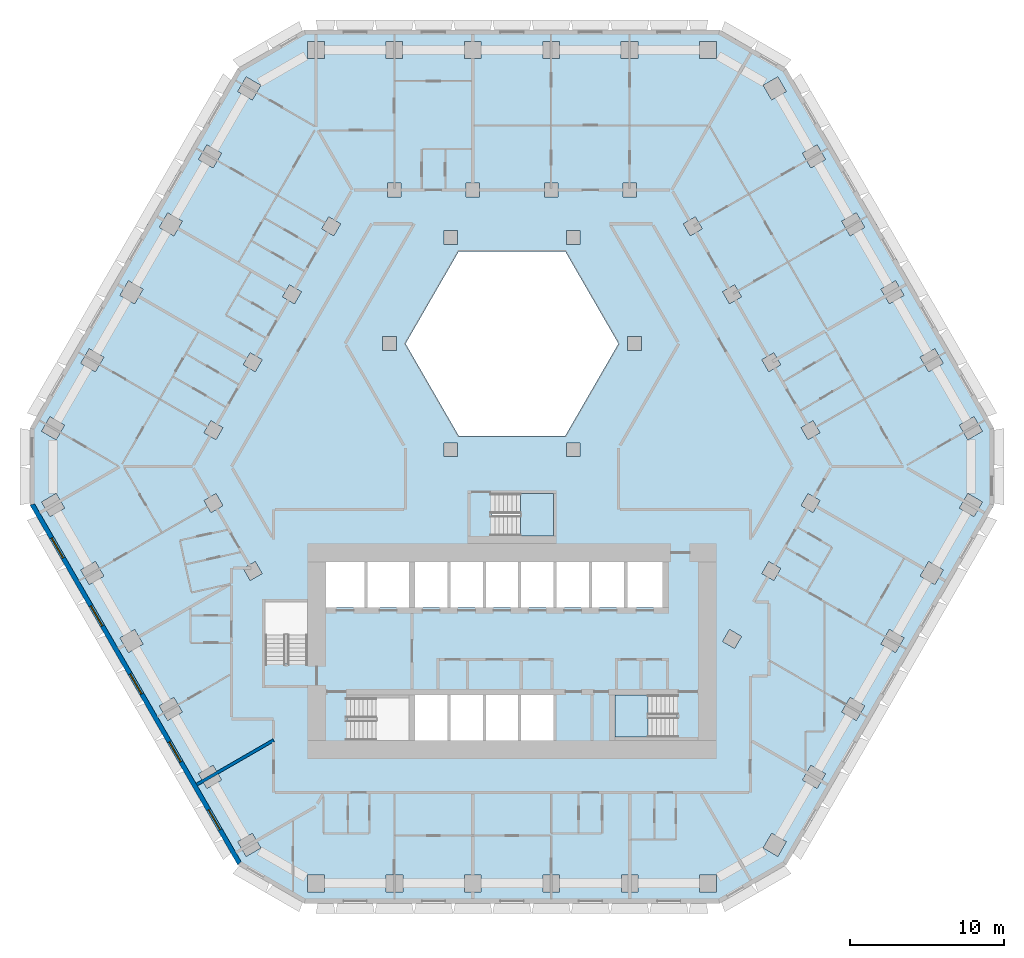
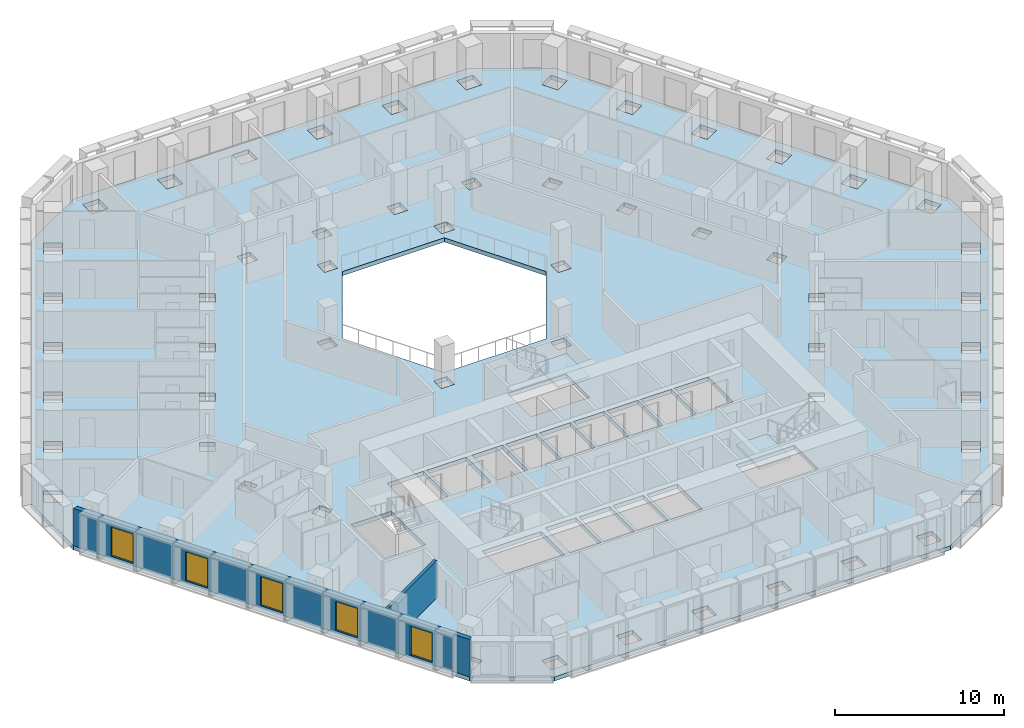
# One storey, part 2 of 16: 5 windows, 3 slabs, 2 walls, 5 openings, 2 elements without a shape of their own.
"""IFC4 building model written with IfcOpenShell, lengths in metres."""

from ifc_helpers import new_model, si_unit, direction, frame, frame_2d, origin, place, context, subcontext, project, spatial, polyline, rectangle, outline, extrude, material, layer, layer_set, type_object, element, fill, aggregate, save


model = new_model("IFC4")

# Units and contexts
model_context = context("Model", 3, precision=1e-05, world=origin(), true_north=direction((0.0, 1.0)))
body_context = subcontext(model_context, "Body", "Model", "MODEL_VIEW")
ifc_project = project(units=[si_unit("LENGTHUNIT", "METRE"), si_unit("AREAUNIT", "SQUARE_METRE"), si_unit("VOLUMEUNIT", "CUBIC_METRE"), si_unit("PLANEANGLEUNIT", "RADIAN"), si_unit("MASSUNIT", "GRAM", prefix="KILO")], contexts=[model_context])

# Site, building, storey
site_placement = place(None, origin())
site = spatial("IfcSite", under=ifc_project, at=site_placement, CompositionType="ELEMENT")
building_placement = place(site_placement, origin())
building = spatial("IfcBuilding", under=site, at=building_placement, Name="Beryl Residences", CompositionType="ELEMENT")
storey_placement = place(building_placement, frame((0.0, 0.0, 56.39990234375)))
storey = spatial("IfcBuildingStorey", under=building, at=storey_placement, Name="L17", CompositionType="ELEMENT", Elevation=56.39990234375)

# Slab
ifc_material_1 = material(Name="Concrete C40/50", Category="concrete")
ifc_layer_1 = layer(ifc_material_1, 0.300048828125)
ifc_layer_set_1 = layer_set([ifc_layer_1], Name="SL7 PT floor slab 300 mm C40/50")
slab_type_1 = type_object("IfcSlabType", Name="SL7 PT floor slab 300 mm C40/50", PredefinedType="FLOOR", material=ifc_layer_set_1)
slab_1_placement = place(storey_placement, frame((0.0, 0.0, -0.2998046875)))
element("IfcSlab", 1, at=slab_1_placement, inside=storey, type_object=slab_type_1, Name="L17 slab 1", PredefinedType="FLOOR", context=body_context, shape_type="SweptSolid", body=[
    extrude(outline(polyline([(31.35009765625, -2.5), (17.840087890625, -25.89990234375), (13.510009765625, -28.39990234375), (-13.510009765625, -28.39990234375), (-17.840087890625, -25.89990234375), (-31.35009765625, -2.5), (-31.35009765625, 2.5), (-17.840087890625, 25.89990234375), (-13.510009765625, 28.39990234375), (13.510009765625, 28.39990234375), (17.840087890625, 25.89990234375), (31.35009765625, 2.5), (31.35009765625, -2.5)]), holes=[polyline([(30.60009765625, -2.298095703125), (29.64794921875, -1.748046875), (29.097900390625, -2.699951171875), (30.050048828125, -3.25), (30.60009765625, -2.298095703125)]), polyline([(30.59912109375, 2.299072265625), (30.049072265625, 3.2509765625), (29.096923828125, 2.700927734375), (29.64697265625, 1.7490234375), (30.59912109375, 2.299072265625)]), polyline([(28.049072265625, -6.718017578125), (27.096923828125, -6.16796875), (26.547119140625, -7.1201171875), (27.4990234375, -7.669921875), (28.049072265625, -6.718017578125)]), polyline([(27.498046875, 7.672119140625), (26.5458984375, 7.1220703125), (27.095947265625, 6.169921875), (28.048095703125, 6.719970703125), (27.498046875, 7.672119140625)]), polyline([(24.544921875, -10.587890625), (23.9951171875, -11.5400390625), (24.947021484375, -12.090087890625), (25.4970703125, -11.137939453125), (24.544921875, -10.587890625)]), polyline([(25.49609375, 11.139892578125), (24.946044921875, 12.092041015625), (23.993896484375, 11.5419921875), (24.5439453125, 10.590087890625), (25.49609375, 11.139892578125)]), polyline([(22.39501953125, -16.510009765625), (22.945068359375, -15.55810546875), (21.992919921875, -15.008056640625), (21.443115234375, -15.9599609375), (22.39501953125, -16.510009765625)]), polyline([(22.39404296875, 16.511962890625), (21.44189453125, 15.9619140625), (21.991943359375, 15.010009765625), (22.944091796875, 15.56005859375), (22.39404296875, 16.511962890625)]), polyline([(20.39306640625, -19.97900390625), (19.44091796875, -19.428955078125), (18.89111328125, -20.381103515625), (19.843017578125, -20.930908203125), (20.39306640625, -19.97900390625)]), polyline([(19.842041015625, 20.931884765625), (18.889892578125, 20.382080078125), (19.43994140625, 19.429931640625), (20.39208984375, 19.97998046875), (19.842041015625, 20.931884765625)]), polyline([(20.031982421875, -2.2041015625), (19.251953125, -1.75390625), (18.802001953125, -2.533935546875), (19.58203125, -2.98388671875), (20.031982421875, -2.2041015625)]), polyline([(20.031005859375, 2.2060546875), (19.5810546875, 2.986083984375), (18.801025390625, 2.535888671875), (19.2509765625, 1.756103515625), (20.031005859375, 2.2060546875)]), polyline([(17.841064453125, -24.39892578125), (16.888916015625, -23.84912109375), (16.339111328125, -24.801025390625), (17.291015625, -25.35107421875), (17.841064453125, -24.39892578125)]), polyline([(17.840087890625, 24.39990234375), (17.2900390625, 25.35205078125), (16.337890625, 24.802001953125), (16.887939453125, 23.85009765625), (17.840087890625, 24.39990234375)]), polyline([(17.47998046875, -6.6240234375), (16.699951171875, -6.174072265625), (16.25, -6.9541015625), (17.030029296875, -7.404052734375), (17.47998046875, -6.6240234375)]), polyline([(17.029052734375, 7.406005859375), (16.2490234375, 6.9560546875), (16.698974609375, 6.176025390625), (17.47900390625, 6.6259765625), (17.029052734375, 7.406005859375)]), polyline([(14.927978515625, -11.0439453125), (14.14794921875, -10.593994140625), (13.697998046875, -11.3740234375), (14.47802734375, -11.823974609375), (14.927978515625, -11.0439453125)]), polyline([(14.927001953125, 11.0458984375), (14.47705078125, 11.825927734375), (13.697021484375, 11.3759765625), (14.14697265625, 10.595947265625), (14.927001953125, 11.0458984375)]), polyline([(13.31103515625, -27.64990234375), (13.31103515625, -26.550048828125), (12.2109375, -26.550048828125), (12.2109375, -27.64990234375), (13.31103515625, -27.64990234375)]), polyline([(13.30908203125, 27.64990234375), (12.208984375, 27.64990234375), (12.208984375, 26.550048828125), (13.30908203125, 26.550048828125), (13.30908203125, 27.64990234375)]), polyline([(11.925048828125, 16.24609375), (11.14501953125, 15.7958984375), (11.594970703125, 15.01611328125), (12.375, 15.466064453125), (11.925048828125, 16.24609375)]), polyline([(10.699951171875, -14.85009765625), (6.699951171875, -14.85009765625), (6.699951171875, -17.60009765625), (10.699951171875, -17.60009765625), (10.699951171875, -14.85009765625)]), polyline([(9.800048828125, -6.199951171875), (7.5, -6.199951171875), (7.5, -9.14990234375), (9.800048828125, -9.14990234375), (9.800048828125, -6.199951171875)]), polyline([(8.4169921875, 7.550048828125), (8.4169921875, 8.449951171875), (7.51708984375, 8.449951171875), (7.51708984375, 7.550048828125), (8.4169921875, 7.550048828125)]), polyline([(7.10693359375, -27.64990234375), (8.20703125, -27.64990234375), (8.20703125, -26.550048828125), (7.10693359375, -26.550048828125), (7.10693359375, -27.64990234375)]), polyline([(8.205078125, 27.64990234375), (7.10498046875, 27.64990234375), (7.10498046875, 26.550048828125), (8.205078125, 26.550048828125), (8.205078125, 27.64990234375)]), polyline([(7.205078125, 18.449951171875), (7.205078125, 17.550048828125), (8.10498046875, 17.550048828125), (8.10498046875, 18.449951171875), (7.205078125, 18.449951171875)]), polyline([(5.199951171875, -9.14990234375), (7.300048828125, -9.14990234375), (7.300048828125, -6.199951171875), (5.199951171875, -6.199951171875), (5.199951171875, -9.14990234375)]), polyline([(3.464111328125, 14.0), (-3.464111328125, 14.0), (-6.92822265625, 8.0), (-3.464111328125, 2.0), (3.464111328125, 2.0), (6.92822265625, 8.0), (3.464111328125, 14.0)]), polyline([(2.89990234375, -6.199951171875), (2.89990234375, -9.14990234375), (5.0, -9.14990234375), (5.0, -6.199951171875), (2.89990234375, -6.199951171875)]), polyline([(4.43408203125, 15.35009765625), (3.533935546875, 15.35009765625), (3.533935546875, 14.449951171875), (4.43408203125, 14.449951171875), (4.43408203125, 15.35009765625)]), polyline([(4.43408203125, 0.64990234375), (4.43408203125, 1.550048828125), (3.533935546875, 1.550048828125), (3.533935546875, 0.64990234375), (4.43408203125, 0.64990234375)]), polyline([(3.10302734375, -27.64990234375), (3.10302734375, -26.550048828125), (2.0029296875, -26.550048828125), (2.0029296875, -27.64990234375), (3.10302734375, -27.64990234375)]), polyline([(2.0009765625, 27.64990234375), (2.0009765625, 26.550048828125), (3.10107421875, 26.550048828125), (3.10107421875, 27.64990234375), (2.0009765625, 27.64990234375)]), polyline([(3.0009765625, 18.449951171875), (2.10107421875, 18.449951171875), (2.10107421875, 17.550048828125), (3.0009765625, 17.550048828125), (3.0009765625, 18.449951171875)]), polyline([(-1.300048828125, -1.75), (-1.300048828125, -4.5), (2.699951171875, -4.5), (2.699951171875, -1.75), (-1.300048828125, -1.75)]), polyline([(0.60009765625, -9.14990234375), (2.699951171875, -9.14990234375), (2.699951171875, -6.199951171875), (0.60009765625, -6.199951171875), (0.60009765625, -9.14990234375)]), polyline([(0.60009765625, -17.800048828125), (2.699951171875, -17.800048828125), (2.699951171875, -14.85009765625), (0.60009765625, -14.85009765625), (0.60009765625, -17.800048828125)]), polyline([(-1.699951171875, -6.199951171875), (-1.699951171875, -9.14990234375), (0.39990234375, -9.14990234375), (0.39990234375, -6.199951171875), (-1.699951171875, -6.199951171875)]), polyline([(-1.699951171875, -14.85009765625), (-1.699951171875, -17.800048828125), (0.39990234375, -17.800048828125), (0.39990234375, -14.85009765625), (-1.699951171875, -14.85009765625)]), polyline([(-4.0, -9.14990234375), (-1.89990234375, -9.14990234375), (-1.89990234375, -6.199951171875), (-4.0, -6.199951171875), (-4.0, -9.14990234375)]), polyline([(-4.0, -17.800048828125), (-1.89990234375, -17.800048828125), (-1.89990234375, -14.85009765625), (-4.0, -14.85009765625), (-4.0, -17.800048828125)]), polyline([(-2.0009765625, -27.64990234375), (-2.0009765625, -26.550048828125), (-3.10107421875, -26.550048828125), (-3.10107421875, -27.64990234375), (-2.0009765625, -27.64990234375)]), polyline([(-3.10302734375, 27.64990234375), (-3.10302734375, 26.550048828125), (-2.0029296875, 26.550048828125), (-2.0029296875, 27.64990234375), (-3.10302734375, 27.64990234375)]), polyline([(-2.10302734375, 18.449951171875), (-3.0029296875, 18.449951171875), (-3.0029296875, 17.550048828125), (-2.10302734375, 17.550048828125), (-2.10302734375, 18.449951171875)]), polyline([(-3.533935546875, 14.449951171875), (-3.533935546875, 15.35009765625), (-4.43408203125, 15.35009765625), (-4.43408203125, 14.449951171875), (-3.533935546875, 14.449951171875)]), polyline([(-3.533935546875, 0.64990234375), (-3.533935546875, 1.550048828125), (-4.43408203125, 1.550048828125), (-4.43408203125, 0.64990234375), (-3.533935546875, 0.64990234375)]), polyline([(-6.300048828125, -9.14990234375), (-4.199951171875, -9.14990234375), (-4.199951171875, -6.199951171875), (-6.300048828125, -6.199951171875), (-6.300048828125, -9.14990234375)]), polyline([(-6.300048828125, -14.85009765625), (-6.300048828125, -17.800048828125), (-4.199951171875, -17.800048828125), (-4.199951171875, -14.85009765625), (-6.300048828125, -14.85009765625)]), polyline([(-6.699951171875, -17.800048828125), (-6.699951171875, -15.050048828125), (-10.699951171875, -15.050048828125), (-10.699951171875, -17.800048828125), (-6.699951171875, -17.800048828125)]), polyline([(-9.39990234375, -6.199951171875), (-9.39990234375, -9.14990234375), (-6.699951171875, -9.14990234375), (-6.699951171875, -6.199951171875), (-9.39990234375, -6.199951171875)]), polyline([(-8.205078125, -27.64990234375), (-7.10498046875, -27.64990234375), (-7.10498046875, -26.550048828125), (-8.205078125, -26.550048828125), (-8.205078125, -27.64990234375)]), polyline([(-7.10693359375, 27.64990234375), (-8.20703125, 27.64990234375), (-8.20703125, 26.550048828125), (-7.10693359375, 26.550048828125), (-7.10693359375, 27.64990234375)]), polyline([(-8.10693359375, 18.449951171875), (-8.10693359375, 17.550048828125), (-7.20703125, 17.550048828125), (-7.20703125, 18.449951171875), (-8.10693359375, 18.449951171875)]), polyline([(-8.4169921875, 7.550048828125), (-7.51708984375, 7.550048828125), (-7.51708984375, 8.449951171875), (-8.4169921875, 8.449951171875), (-8.4169921875, 7.550048828125)]), polyline([(-12.10009765625, -6.199951171875), (-12.10009765625, -9.14990234375), (-9.60009765625, -9.14990234375), (-9.60009765625, -6.199951171875), (-12.10009765625, -6.199951171875)]), polyline([(-12.3759765625, 15.465087890625), (-11.595947265625, 15.014892578125), (-11.14599609375, 15.794921875), (-11.926025390625, 16.2451171875), (-12.3759765625, 15.465087890625)]), polyline([(-12.208984375, -26.550048828125), (-13.30908203125, -26.550048828125), (-13.30908203125, -27.64990234375), (-12.208984375, -27.64990234375), (-12.208984375, -26.550048828125)]), polyline([(-13.31103515625, 27.64990234375), (-13.31103515625, 26.550048828125), (-12.2109375, 26.550048828125), (-12.2109375, 27.64990234375), (-13.31103515625, 27.64990234375)]), polyline([(-13.300048828125, -8.800048828125), (-16.050048828125, -8.800048828125), (-16.050048828125, -12.800048828125), (-13.300048828125, -12.800048828125), (-13.300048828125, -8.800048828125)]), polyline([(-14.47802734375, 11.823974609375), (-14.927978515625, 11.0439453125), (-14.14794921875, 10.593994140625), (-13.697998046875, 11.3740234375), (-14.47802734375, 11.823974609375)]), polyline([(-17.029052734375, -7.406005859375), (-16.2490234375, -6.9560546875), (-16.698974609375, -6.176025390625), (-17.47900390625, -6.6259765625), (-17.029052734375, -7.406005859375)]), polyline([(-17.47998046875, 6.6240234375), (-16.699951171875, 6.174072265625), (-16.25, 6.9541015625), (-17.030029296875, 7.404052734375), (-17.47998046875, 6.6240234375)]), polyline([(-17.2900390625, -25.35205078125), (-16.337890625, -24.802001953125), (-16.887939453125, -23.85009765625), (-17.840087890625, -24.39990234375), (-17.2900390625, -25.35205078125)]), polyline([(-17.841064453125, 24.39892578125), (-16.888916015625, 23.84912109375), (-16.339111328125, 24.801025390625), (-17.291015625, 25.35107421875), (-17.841064453125, 24.39892578125)]), polyline([(-20.031005859375, -2.2060546875), (-19.5810546875, -2.986083984375), (-18.801025390625, -2.535888671875), (-19.2509765625, -1.756103515625), (-20.031005859375, -2.2060546875)]), polyline([(-19.58203125, 2.98388671875), (-20.031982421875, 2.2041015625), (-19.251953125, 1.75390625), (-18.802001953125, 2.533935546875), (-19.58203125, 2.98388671875)]), polyline([(-19.842041015625, -20.931884765625), (-18.889892578125, -20.382080078125), (-19.43994140625, -19.429931640625), (-20.39208984375, -19.97998046875), (-19.842041015625, -20.931884765625)]), polyline([(-20.39306640625, 19.97900390625), (-19.44091796875, 19.428955078125), (-18.89111328125, 20.381103515625), (-19.843017578125, 20.930908203125), (-20.39306640625, 19.97900390625)]), polyline([(-22.39404296875, -16.511962890625), (-21.44189453125, -15.9619140625), (-21.991943359375, -15.010009765625), (-22.944091796875, -15.56005859375), (-22.39404296875, -16.511962890625)]), polyline([(-22.945068359375, 15.55810546875), (-21.992919921875, 15.008056640625), (-21.443115234375, 15.9599609375), (-22.39501953125, 16.510009765625), (-22.945068359375, 15.55810546875)]), polyline([(-24.946044921875, -12.092041015625), (-23.993896484375, -11.5419921875), (-24.5439453125, -10.590087890625), (-25.49609375, -11.139892578125), (-24.946044921875, -12.092041015625)]), polyline([(-24.544921875, 10.587890625), (-23.9951171875, 11.5400390625), (-24.947021484375, 12.090087890625), (-25.4970703125, 11.137939453125), (-24.544921875, 10.587890625)]), polyline([(-27.498046875, -7.672119140625), (-26.5458984375, -7.1220703125), (-27.095947265625, -6.169921875), (-28.048095703125, -6.719970703125), (-27.498046875, -7.672119140625)]), polyline([(-28.049072265625, 6.718017578125), (-27.096923828125, 6.16796875), (-26.547119140625, 7.1201171875), (-27.4990234375, 7.669921875), (-28.049072265625, 6.718017578125)]), polyline([(-29.096923828125, -2.700927734375), (-29.64697265625, -1.7490234375), (-30.59912109375, -2.299072265625), (-30.049072265625, -3.2509765625), (-29.096923828125, -2.700927734375)]), polyline([(-30.60009765625, 2.298095703125), (-29.64794921875, 1.748046875), (-29.097900390625, 2.699951171875), (-30.050048828125, 3.25), (-30.60009765625, 2.298095703125)])]), origin(), (0.0, 0.0, 1.0), 0.2998046875),
])

# Stair, slab
ifc_material_2 = material(Name="Concrete C40/50", Category="concrete")
stair_type = type_object("IfcStairType", Name="ST1 protected exit stair, half-turn, 1300 mm flights", PredefinedType="HALF_TURN_STAIR", material=ifc_material_2)
stair_1_placement = place(storey_placement, origin())
stair_1 = element("IfcStair", 2, at=stair_1_placement, inside=storey, type_object=stair_type, Name="L17 PROTECTED EXIT STAIR ST-3", PredefinedType="HALF_TURN_STAIR")
ifc_material_3 = material(Name="Concrete C40/50", Category="concrete")
ifc_layer_2 = layer(ifc_material_3, 0.199951171875)
ifc_layer_set_2 = layer_set([ifc_layer_2], Name="SLD1 stair landing 200 mm")
slab_type_2 = type_object("IfcSlabType", Name="SLD1 stair landing 200 mm", PredefinedType="LANDING", material=ifc_layer_set_2)
slab_2_placement = place(storey_placement, frame((0.0, 0.0, 1.300048828125)))
slab_2 = element("IfcSlab", 3, at=slab_2_placement, type_object=slab_type_2, Name="ST-3 landing 1", PredefinedType="LANDING", context=body_context, shape_type="SweptSolid", body=[
    extrude(outline(polyline([(8.840087890625, -14.85009765625), (6.699951171875, -14.85009765625), (6.699951171875, -17.60009765625), (8.840087890625, -17.60009765625), (8.840087890625, -14.85009765625)])), origin(), (0.0, 0.0, 1.0), 0.199951171875),
])
aggregate(stair_1, [slab_2])

stair_2_placement = place(storey_placement, origin())
stair_2 = element("IfcStair", 4, at=stair_2_placement, inside=storey, type_object=stair_type, Name="L17 PROTECTED EXIT STAIR ST-4", PredefinedType="HALF_TURN_STAIR")
slab_3_placement = place(storey_placement, frame((0.0, 0.0, 1.300048828125)))
slab_3 = element("IfcSlab", 5, at=slab_3_placement, type_object=slab_type_2, Name="ST-4 landing 1", PredefinedType="LANDING", context=body_context, shape_type="SweptSolid", body=[
    extrude(outline(polyline([(0.56005859375, -4.5), (2.699951171875, -4.5), (2.699951171875, -1.75), (0.56005859375, -1.75), (0.56005859375, -4.5)])), origin(), (0.0, 0.0, 1.0), 0.199951171875),
])
aggregate(stair_2, [slab_3])

# Wall, openings, windows
ifc_material_4 = material(Name="Composite metal panel with mineral wool insulation")
ifc_layer_3 = layer(ifc_material_4, 0.300048828125)
ifc_layer_set_3 = layer_set([ifc_layer_3], Name="ES1 pale metal composite panel wall 300 mm")
wall_type_1 = type_object("IfcWallType", Name="ES1 pale metal composite panel wall 300 mm", PredefinedType="SOLIDWALL", material=ifc_layer_set_3)
wall_1_placement = place(storey_placement, frame((-31.219970703125, -2.425048828125, 0.0), z_axis=(0.0, 0.0, 1.0), x_axis=(0.500001938803, -0.866024284413, 0.0)))
wall_1 = element("IfcWall", 6, at=wall_1_placement, inside=storey, type_object=wall_type_1, Name="ES1 external wall L17 SW", PredefinedType="SOLIDWALL", context=body_context, shape_type="SweptSolid", body=[
    extrude(outline(polyline([(0.0, -0.14990234375), (27.02001953125, -0.14990234375), (26.939697265625, 0.14990234375), (0.080322265625, 0.14990234375), (0.0, -0.14990234375)])), origin(), (0.0, 0.0, 1.0), 2.7001953125),
])
opening_1_placement = place(wall_1_placement, frame((2.552978515625, 0.0, 0.14990234375)))
opening_1 = element("IfcOpeningElement", 7, at=opening_1_placement, cuts=wall_1, Name="Opening W1", PredefinedType="OPENING", context=body_context, shape_type="SweptSolid", body=[
    extrude(rectangle(XDim=1.5, YDim=2.10009765625, at=frame_2d((0.75, 1.050048828125))), frame((0.0, 0.159912109375, 0.0), z_axis=(0.0, -1.0, 0.0), x_axis=(1.0, 0.0, 0.0)), (0.0, 0.0, 1.0), 0.320068359375),
])
opening_2_placement = place(wall_1_placement, frame((7.656982421875, 0.0, 0.14990234375)))
opening_2 = element("IfcOpeningElement", 8, at=opening_2_placement, cuts=wall_1, Name="Opening W1", PredefinedType="OPENING", context=body_context, shape_type="SweptSolid", body=[
    extrude(rectangle(XDim=1.5, YDim=2.10009765625, at=frame_2d((0.75, 1.050048828125))), frame((0.0, 0.159912109375, 0.0), z_axis=(0.0, -1.0, 0.0), x_axis=(1.0, 0.0, 0.0)), (0.0, 0.0, 1.0), 0.320068359375),
])
opening_3_placement = place(wall_1_placement, frame((12.760986328125, 0.0, 0.14990234375)))
opening_3 = element("IfcOpeningElement", 9, at=opening_3_placement, cuts=wall_1, Name="Opening W1", PredefinedType="OPENING", context=body_context, shape_type="SweptSolid", body=[
    extrude(rectangle(XDim=1.5, YDim=2.10009765625, at=frame_2d((0.75, 1.050048828125))), frame((0.0, 0.159912109375, 0.0), z_axis=(0.0, -1.0, 0.0), x_axis=(1.0, 0.0, 0.0)), (0.0, 0.0, 1.0), 0.320068359375),
])
opening_4_placement = place(wall_1_placement, frame((17.864990234375, 0.0, 0.14990234375)))
opening_4 = element("IfcOpeningElement", 10, at=opening_4_placement, cuts=wall_1, Name="Opening W1", PredefinedType="OPENING", context=body_context, shape_type="SweptSolid", body=[
    extrude(rectangle(XDim=1.5, YDim=2.10009765625, at=frame_2d((0.75, 1.050048828125))), frame((0.0, 0.159912109375, 0.0), z_axis=(0.0, -1.0, 0.0), x_axis=(1.0, 0.0, 0.0)), (0.0, 0.0, 1.0), 0.320068359375),
])
opening_5_placement = place(wall_1_placement, frame((22.968994140625, 0.0, 0.14990234375)))
opening_5 = element("IfcOpeningElement", 11, at=opening_5_placement, cuts=wall_1, Name="Opening W1", PredefinedType="OPENING", context=body_context, shape_type="SweptSolid", body=[
    extrude(rectangle(XDim=1.5, YDim=2.10009765625, at=frame_2d((0.75, 1.050048828125))), frame((0.0, 0.159912109375, 0.0), z_axis=(0.0, -1.0, 0.0), x_axis=(1.0, 0.0, 0.0)), (0.0, 0.0, 1.0), 0.320068359375),
])
ifc_material_5 = material(Name="Aluminium and clear glass", Category="aluminium")
window_type = type_object("IfcWindowType", Name="W1 cell window 1500 x 2100 mm", PartitioningType="SINGLE_PANEL", PredefinedType="WINDOW", material=ifc_material_5)
window_1_placement = place(opening_1_placement, origin())
window_1 = element("IfcWindow", 12, at=window_1_placement, inside=storey, type_object=window_type, Name="W1 window L17 SW 2", OverallHeight=2.10009765625, OverallWidth=1.5, PartitioningType="SINGLE_PANEL", PredefinedType="WINDOW", context=body_context, shape_type="SweptSolid", body=[
    extrude(rectangle(XDim=1.5, YDim=2.10009765625, at=frame_2d((0.75, 1.050048828125))), frame((0.0, 0.030029296875, 0.0), z_axis=(0.0, -1.0, 0.0), x_axis=(1.0, 0.0, 0.0)), (0.0, 0.0, 1.0), 0.06005859375),
])
fill(opening_1, window_1)
window_2_placement = place(opening_2_placement, origin())
window_2 = element("IfcWindow", 13, at=window_2_placement, inside=storey, type_object=window_type, Name="W1 window L17 SW 4", OverallHeight=2.10009765625, OverallWidth=1.5, PartitioningType="SINGLE_PANEL", PredefinedType="WINDOW", context=body_context, shape_type="SweptSolid", body=[
    extrude(rectangle(XDim=1.5, YDim=2.10009765625, at=frame_2d((0.75, 1.050048828125))), frame((0.0, 0.030029296875, 0.0), z_axis=(0.0, -1.0, 0.0), x_axis=(1.0, 0.0, 0.0)), (0.0, 0.0, 1.0), 0.06005859375),
])
fill(opening_2, window_2)
window_3_placement = place(opening_3_placement, origin())
window_3 = element("IfcWindow", 14, at=window_3_placement, inside=storey, type_object=window_type, Name="W1 window L17 SW 6", OverallHeight=2.10009765625, OverallWidth=1.5, PartitioningType="SINGLE_PANEL", PredefinedType="WINDOW", context=body_context, shape_type="SweptSolid", body=[
    extrude(rectangle(XDim=1.5, YDim=2.10009765625, at=frame_2d((0.75, 1.050048828125))), frame((0.0, 0.030029296875, 0.0), z_axis=(0.0, -1.0, 0.0), x_axis=(1.0, 0.0, 0.0)), (0.0, 0.0, 1.0), 0.06005859375),
])
fill(opening_3, window_3)
window_4_placement = place(opening_4_placement, origin())
window_4 = element("IfcWindow", 15, at=window_4_placement, inside=storey, type_object=window_type, Name="W1 window L17 SW 8", OverallHeight=2.10009765625, OverallWidth=1.5, PartitioningType="SINGLE_PANEL", PredefinedType="WINDOW", context=body_context, shape_type="SweptSolid", body=[
    extrude(rectangle(XDim=1.5, YDim=2.10009765625, at=frame_2d((0.75, 1.050048828125))), frame((0.0, 0.030029296875, 0.0), z_axis=(0.0, -1.0, 0.0), x_axis=(1.0, 0.0, 0.0)), (0.0, 0.0, 1.0), 0.06005859375),
])
fill(opening_4, window_4)
window_5_placement = place(opening_5_placement, origin())
window_5 = element("IfcWindow", 16, at=window_5_placement, inside=storey, type_object=window_type, Name="W1 window L17 SW 10", OverallHeight=2.10009765625, OverallWidth=1.5, PartitioningType="SINGLE_PANEL", PredefinedType="WINDOW", context=body_context, shape_type="SweptSolid", body=[
    extrude(rectangle(XDim=1.5, YDim=2.10009765625, at=frame_2d((0.75, 1.050048828125))), frame((0.0, 0.030029296875, 0.0), z_axis=(0.0, -1.0, 0.0), x_axis=(1.0, 0.0, 0.0)), (0.0, 0.0, 1.0), 0.06005859375),
])
fill(opening_5, window_5)

# Wall
ifc_material_6 = material(Name="Acoustic double stud gypsum board wall")
ifc_layer_4 = layer(ifc_material_6, 0.199951171875)
ifc_layer_set_4 = layer_set([ifc_layer_4], Name="PT3 party wall 200 mm acoustic double stud")
wall_type_2 = type_object("IfcWallType", Name="PT3 party wall 200 mm acoustic double stud", PredefinedType="PARTITIONING", material=ifc_layer_set_4)
wall_2_placement = place(storey_placement, frame((-20.507080078125, -20.680908203125, 0.0), z_axis=(0.0, 0.0, 1.0), x_axis=(0.86602314875, 0.500003905814, 0.0)))
element("IfcWall", 17, at=wall_2_placement, inside=storey, type_object=wall_type_2, Name="Wall PT3 L17 017", PredefinedType="PARTITIONING", context=body_context, shape_type="SweptSolid", body=[
    extrude(rectangle(XDim=5.78173828125, YDim=0.199951171875, at=frame_2d((2.890869140625, 0.0))), origin(), (0.0, 0.0, 1.0), 2.7001953125),
])

save(model, "model.ifc")
